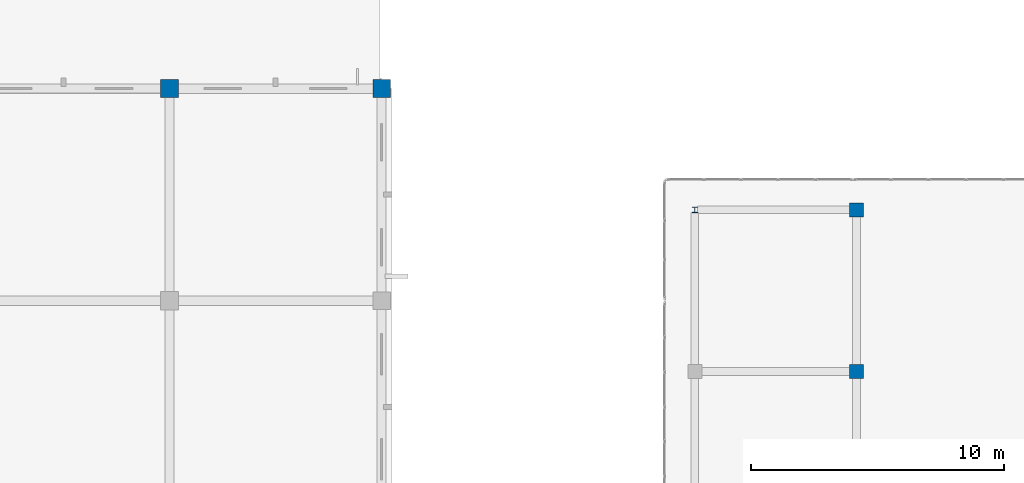
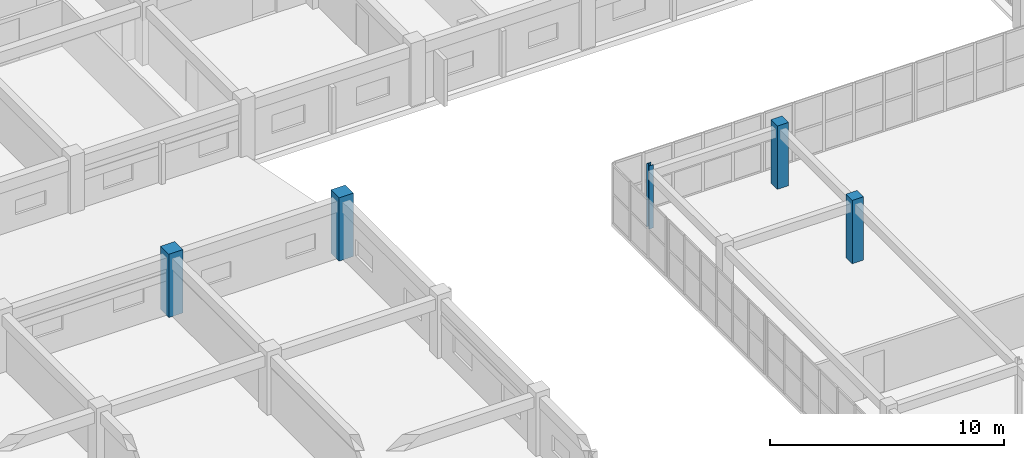
# One storey, part 8 of 148: 5 columns.
"""IFC4 building model written with IfcOpenShell, lengths in metres."""

from ifc_helpers import new_model, si_unit, direction, frame, origin, origin_2d, place, context, subcontext, project, spatial, rectangle, i_section, extrude, material, material_profile, profile_set, type_object, element, save


model = new_model("IFC4")

# Units and contexts
model_context = context("Model", 3, precision=1e-05, world=origin(), true_north=direction((0.0, 1.0)))
body_context = subcontext(model_context, "Body", "Model", "MODEL_VIEW")
ifc_project = project(units=[si_unit("LENGTHUNIT", "METRE"), si_unit("AREAUNIT", "SQUARE_METRE"), si_unit("VOLUMEUNIT", "CUBIC_METRE"), si_unit("PLANEANGLEUNIT", "RADIAN"), si_unit("MASSUNIT", "GRAM", prefix="KILO")], contexts=[model_context])

# Site, building, storey
site_placement = place(None, origin())
site = spatial("IfcSite", under=ifc_project, at=site_placement, CompositionType="ELEMENT")
building_placement = place(site_placement, origin())
building = spatial("IfcBuilding", under=site, at=building_placement, Name="Trelvath General Hospital", CompositionType="ELEMENT")
storey_placement = place(building_placement, frame((0.0, 0.0, 12.89990234375)))
storey = spatial("IfcBuildingStorey", under=building, at=storey_placement, Name="L03", CompositionType="ELEMENT", Elevation=12.89990234375)

# Columns
ifc_material_1 = material(Name="Concrete C40/50", Category="concrete")
ifc_material_profile_1 = material_profile(ifc_material_1, rectangle(XDim=0.550048828125, YDim=0.550048828125, at=origin_2d()), Name="RC550x550")
ifc_profile_set_1 = profile_set([ifc_material_profile_1], Name="Concrete C40/50")
column_type_1 = type_object("IfcColumnType", Name="Column RC550", PredefinedType="COLUMN", material=ifc_profile_set_1)
for number, where, z_axis, x_axis, name in (
    (1, (60.800048828125, 72.800048828125, 0.0), (0.0, 0.0, 1.0), (1.0, 0.0, 0.0), "Cube Interior Column CC-W19 L03"),
    (2, (60.800048828125, 79.199951171875, 0.0), (0.0, 0.0, 1.0), (1.0, 0.0, 0.0), "Cube Interior Column CC-W20 L03"),
):
    element("IfcColumn", number, at=place(storey_placement, frame(where, z_axis=z_axis, x_axis=x_axis)), inside=storey, type_object=column_type_1, Name=name, PredefinedType="COLUMN", context=body_context, shape_type="SweptSolid", body=[
        extrude(rectangle(XDim=0.550048828125, YDim=0.550048828125, at=origin_2d()), origin(), (0.0, 0.0, 1.0), 3.300048828125),
    ])
ifc_material_2 = material(Name="Concrete C40/50", Category="concrete")
ifc_material_profile_2 = material_profile(ifc_material_2, rectangle(XDim=0.699951171875, YDim=0.699951171875, at=origin_2d()), Name="RC700x700")
ifc_profile_set_2 = profile_set([ifc_material_profile_2], Name="Concrete C40/50")
column_type_2 = type_object("IfcColumnType", Name="Column RC700", PredefinedType="COLUMN", material=ifc_profile_set_2)
for number, where, z_axis, x_axis, name in (
    (3, (33.60009765625, 84.0, 0.0), (0.0, 0.0, 1.0), (1.0, 0.0, 0.0), "Column C-5K L03"),
    (4, (42.0, 84.0, 0.0), (0.0, 0.0, 1.0), (1.0, 0.0, 0.0), "Column C-6K L03"),
):
    element("IfcColumn", number, at=place(storey_placement, frame(where, z_axis=z_axis, x_axis=x_axis)), inside=storey, type_object=column_type_2, Name=name, PredefinedType="COLUMN", context=body_context, shape_type="SweptSolid", body=[
        extrude(rectangle(XDim=0.699951171875, YDim=0.699951171875, at=origin_2d()), origin(), (0.0, 0.0, 1.0), 3.300048828125),
    ])
ifc_material_3 = material(Name="Steel S355", Category="steel")
ifc_material_profile_3 = material_profile(ifc_material_3, i_section(OverallWidth=0.219970703125, OverallDepth=0.219970703125, WebThickness=0.009521484375, FlangeThickness=0.01611328125, at=origin_2d()), Name="HEB220")
ifc_profile_set_3 = profile_set([ifc_material_profile_3], Name="Steel S355")
column_type_3 = type_object("IfcColumnType", Name="CubePost HEB220", PredefinedType="COLUMN", material=ifc_profile_set_3)
column_placement = place(storey_placement, frame((54.39990234375, 79.199951171875, 0.0), z_axis=(0.0, 0.0, 1.0), x_axis=(1.0, 0.0, 0.0)))
element("IfcColumn", 5, at=column_placement, inside=storey, type_object=column_type_3, Name="Cube Interior Column CC-W15 L03", PredefinedType="COLUMN", context=body_context, shape_type="SweptSolid", body=[
    extrude(i_section(OverallWidth=0.219970703125, OverallDepth=0.219970703125, WebThickness=0.009521484375, FlangeThickness=0.01611328125, at=origin_2d()), origin(), (0.0, 0.0, 1.0), 3.300048828125),
])

save(model, "model.ifc")
